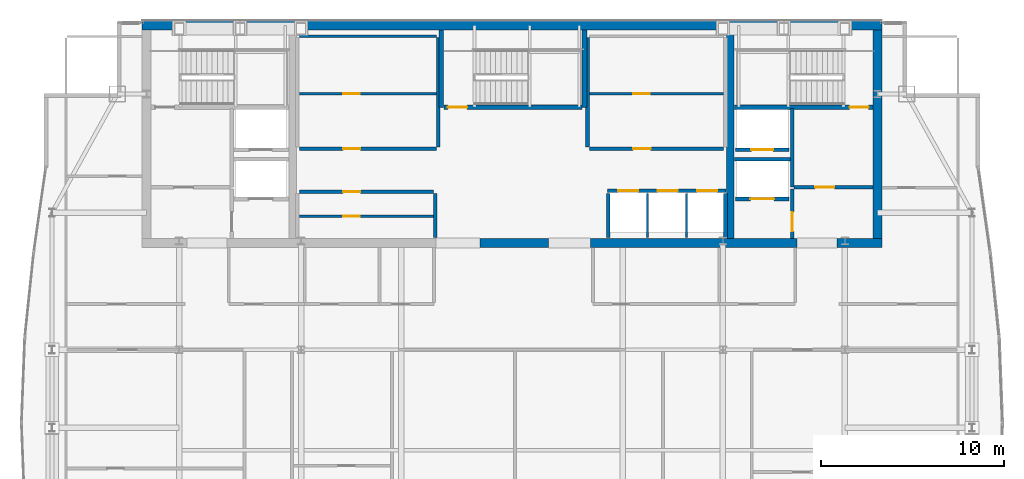
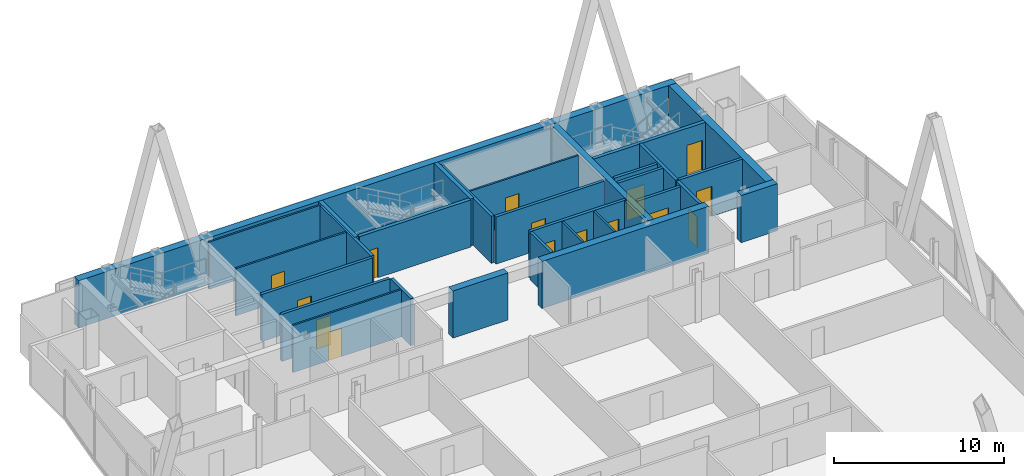
# One storey, part 26 of 29: 31 walls, 15 doors, 15 openings.
"""IFC4 building model written with IfcOpenShell, lengths in metres."""

from ifc_helpers import new_model, si_unit, direction, frame, frame_2d, origin, place, context, subcontext, project, spatial, rectangle, extrude, material, layer, layer_set, type_object, element, fill, save


model = new_model("IFC4")

# Units and contexts
model_context = context("Model", 3, precision=1e-05, world=origin(), true_north=direction((0.0, 1.0)))
body_context = subcontext(model_context, "Body", "Model", "MODEL_VIEW")
ifc_project = project(units=[si_unit("LENGTHUNIT", "METRE"), si_unit("AREAUNIT", "SQUARE_METRE"), si_unit("VOLUMEUNIT", "CUBIC_METRE"), si_unit("PLANEANGLEUNIT", "RADIAN"), si_unit("MASSUNIT", "GRAM", prefix="KILO")], contexts=[model_context])

# Site, building, storey
site_placement = place(None, origin())
site = spatial("IfcSite", under=ifc_project, at=site_placement, CompositionType="ELEMENT")
building_placement = place(site_placement, origin())
building = spatial("IfcBuilding", under=site, at=building_placement, Name="Khoronbel Lancet Exchange", CompositionType="ELEMENT")
storey_placement = place(building_placement, frame((0.0, 0.0, 302.199951171875)))
storey = spatial("IfcBuildingStorey", under=building, at=storey_placement, Name="L78", CompositionType="ELEMENT", Elevation=302.199951171875)

# Walls
ifc_material_1 = material(Name="Concrete C60/75", Category="concrete")
ifc_layer_1 = layer(ifc_material_1, 0.5, Name="Concrete C60/75")
ifc_layer_set_1 = layer_set([ifc_layer_1], Name="Concrete C60/75")
wall_type_1 = type_object("IfcWallType", Name="WL-CW4", PredefinedType="SHEAR", material=ifc_layer_set_1)
wall_1_placement = place(storey_placement, frame((16.199951171875, 53.449951171875, 0.0), z_axis=(0.0, 0.0, 1.0), x_axis=(1.0, 0.0, 0.0)))
element("IfcWall", 1, at=wall_1_placement, inside=storey, type_object=wall_type_1, Name="Level L78 rear core north shear wall", PredefinedType="SHEAR", context=body_context, shape_type="SweptSolid", body=[
    extrude(rectangle(XDim=40.5, YDim=0.5, at=frame_2d((20.25, 0.0))), origin(), (0.0, 0.0, 1.0), 3.380126953125),
])
wall_2_placement = place(storey_placement, frame((56.449951171875, 53.199951171875, 0.0), z_axis=(0.0, 0.0, 1.0), x_axis=(0.0, -1.0, 0.0)))
element("IfcWall", 2, at=wall_2_placement, inside=storey, type_object=wall_type_1, Name="Level L78 rear core east shear wall", PredefinedType="SHEAR", context=body_context, shape_type="SweptSolid", body=[
    extrude(rectangle(XDim=11.39990234375, YDim=0.5, at=frame_2d((5.699951171875, 0.0))), origin(), (0.0, 0.0, 1.0), 3.380126953125),
])
wall_3_placement = place(storey_placement, frame((38.449951171875, 41.550048828125, 0.0), z_axis=(0.0, 0.0, 1.0), x_axis=(-1.0, 0.0, 0.0)))
element("IfcWall", 3, at=wall_3_placement, inside=storey, type_object=wall_type_1, Name="Level L78 rear core south shear wall pier P3", PredefinedType="SHEAR", context=body_context, shape_type="SweptSolid", body=[
    extrude(rectangle(XDim=3.75, YDim=0.5, at=frame_2d((1.875, 0.0))), origin(), (0.0, 0.0, 1.0), 3.380126953125),
])
wall_4_placement = place(storey_placement, frame((52.050048828125, 41.550048828125, 0.0), z_axis=(0.0, 0.0, 1.0), x_axis=(-1.0, 0.0, 0.0)))
element("IfcWall", 4, at=wall_4_placement, inside=storey, type_object=wall_type_1, Name="Level L78 rear core south shear wall pier P4", PredefinedType="SHEAR", context=body_context, shape_type="SweptSolid", body=[
    extrude(rectangle(XDim=11.300048828125, YDim=0.5, at=frame_2d((5.64990234375, 0.0))), origin(), (0.0, 0.0, 1.0), 3.380126953125),
])
wall_5_placement = place(storey_placement, frame((56.699951171875, 41.550048828125, 0.0), z_axis=(0.0, 0.0, 1.0), x_axis=(-1.0, 0.0, 0.0)))
element("IfcWall", 5, at=wall_5_placement, inside=storey, type_object=wall_type_1, Name="Level L78 rear core south shear wall pier P5", PredefinedType="SHEAR", context=body_context, shape_type="SweptSolid", body=[
    extrude(rectangle(XDim=2.449951171875, YDim=0.5, at=frame_2d((1.22509765625, 0.0))), origin(), (0.0, 0.0, 1.0), 3.380126953125),
])
ifc_material_2 = material(Name="Fire-Rated Metal-Stud & Mineral-Wool Gypsum Partition 120 mm", Category="gypsum")
ifc_layer_2 = layer(ifc_material_2, 0.1201171875, Name="Fire-Rated Metal-Stud & Mineral-Wool Gypsum Partition 120 mm")
ifc_layer_set_2 = layer_set([ifc_layer_2], Name="Fire-Rated Metal-Stud & Mineral-Wool Gypsum Partition 120 mm")
wall_type_2 = type_object("IfcWallType", Name="WL-PRT120F", PredefinedType="PARTITIONING", material=ifc_layer_set_2)
wall_6_placement = place(storey_placement, frame((24.804931640625, 52.860107421875, 0.0), z_axis=(0.0, 0.0, 1.0), x_axis=(1.0, 0.0, 0.0)))
element("IfcWall", 6, at=wall_6_placement, inside=storey, type_object=wall_type_2, Name="Level L78 interior partition CW-PL-RN", PredefinedType="PARTITIONING", context=body_context, shape_type="SweptSolid", body=[
    extrude(rectangle(XDim=7.510009765625, YDim=0.1201171875, at=frame_2d((3.7548828125, 0.0))), origin(), (0.0, 0.0, 1.0), 3.380126953125),
])

# Wall, opening, door
wall_7_placement = place(storey_placement, frame((24.804931640625, 49.708740234375, 0.0), z_axis=(0.0, 0.0, 1.0), x_axis=(1.0, 0.0, 0.0)))
wall_7 = element("IfcWall", 7, at=wall_7_placement, inside=storey, type_object=wall_type_2, Name="Level L78 interior partition CW-PL-RH", PredefinedType="PARTITIONING", context=body_context, shape_type="SweptSolid", body=[
    extrude(rectangle(XDim=7.510009765625, YDim=0.1201171875, at=frame_2d((3.7548828125, 0.0))), origin(), (0.0, 0.0, 1.0), 3.380126953125),
])
opening_1_placement = place(wall_7_placement, frame((2.39990234375, 0.0, 0.0)))
opening_1 = element("IfcOpeningElement", 8, at=opening_1_placement, cuts=wall_7, Name="Opening FD4", PredefinedType="OPENING", context=body_context, shape_type="SweptSolid", body=[
    extrude(rectangle(XDim=0.89990234375, YDim=2.050048828125, at=frame_2d((0.449951171875, 1.02490234375))), frame((0.0, 0.070068359375, 0.0), z_axis=(0.0, -1.0, 0.0), x_axis=(1.0, 0.0, 0.0)), (0.0, 0.0, 1.0), 0.14013671875),
])
ifc_material_3 = material(Name="Fire-Rated Steel Core Support Door Assembly", Category="steel")
door_type_1 = type_object("IfcDoorType", Name="DR-FD4", OperationType="NOTDEFINED", PredefinedType="DOOR", material=ifc_material_3)
door_1_placement = place(opening_1_placement, origin())
door_1 = element("IfcDoor", 9, at=door_1_placement, inside=storey, type_object=door_type_1, Name="Core PL inner store door L78-1", OperationType="SINGLE_SWING_RIGHT", OverallHeight=2.050048828125, OverallWidth=0.89990234375, PredefinedType="DOOR", context=body_context, shape_type="SweptSolid", body=[
    extrude(rectangle(XDim=0.89990234375, YDim=2.050048828125, at=frame_2d((0.449951171875, 1.02490234375))), frame((0.0, 0.02490234375, 0.0), z_axis=(0.0, -1.0, 0.0), x_axis=(1.0, 0.0, 0.0)), (0.0, 0.0, 1.0), 0.050048828125),
])
fill(opening_1, door_1)

wall_8_placement = place(storey_placement, frame((24.804931640625, 43.001953125, 0.0), z_axis=(0.0, 0.0, 1.0), x_axis=(1.0, 0.0, 0.0)))
wall_8 = element("IfcWall", 10, at=wall_8_placement, inside=storey, type_object=wall_type_2, Name="Level L78 interior partition CW-PM-RH", PredefinedType="PARTITIONING", context=body_context, shape_type="SweptSolid", body=[
    extrude(rectangle(XDim=7.340087890625, YDim=0.1201171875, at=frame_2d((3.669921875, 0.0))), origin(), (0.0, 0.0, 1.0), 3.380126953125),
])
opening_2_placement = place(wall_8_placement, frame((2.39990234375, 0.0, 0.0)))
opening_2 = element("IfcOpeningElement", 11, at=opening_2_placement, cuts=wall_8, Name="Opening FD4", PredefinedType="OPENING", context=body_context, shape_type="SweptSolid", body=[
    extrude(rectangle(XDim=0.89990234375, YDim=2.050048828125, at=frame_2d((0.449951171875, 1.02490234375))), frame((0.0, 0.070068359375, 0.0), z_axis=(0.0, -1.0, 0.0), x_axis=(1.0, 0.0, 0.0)), (0.0, 0.0, 1.0), 0.14013671875),
])
door_2_placement = place(opening_2_placement, origin())
door_2 = element("IfcDoor", 12, at=door_2_placement, inside=storey, type_object=door_type_1, Name="Core PM inner store door L78-1", OperationType="SINGLE_SWING_RIGHT", OverallHeight=2.050048828125, OverallWidth=0.89990234375, PredefinedType="DOOR", context=body_context, shape_type="SweptSolid", body=[
    extrude(rectangle(XDim=0.89990234375, YDim=2.050048828125, at=frame_2d((0.449951171875, 1.02490234375))), frame((0.0, 0.02490234375, 0.0), z_axis=(0.0, -1.0, 0.0), x_axis=(1.0, 0.0, 0.0)), (0.0, 0.0, 1.0), 0.050048828125),
])
fill(opening_2, door_2)

wall_9_placement = place(storey_placement, frame((40.68505859375, 49.708740234375, 0.0), z_axis=(0.0, 0.0, 1.0), x_axis=(1.0, 0.0, 0.0)))
wall_9 = element("IfcWall", 13, at=wall_9_placement, inside=storey, type_object=wall_type_2, Name="Level L78 interior partition CW-PH-RH", PredefinedType="PARTITIONING", context=body_context, shape_type="SweptSolid", body=[
    extrude(rectangle(XDim=7.349853515625, YDim=0.1201171875, at=frame_2d((3.6748046875, 0.0))), origin(), (0.0, 0.0, 1.0), 3.380126953125),
])
opening_3_placement = place(wall_9_placement, frame((2.39990234375, 0.0, 0.0)))
opening_3 = element("IfcOpeningElement", 14, at=opening_3_placement, cuts=wall_9, Name="Opening FD4", PredefinedType="OPENING", context=body_context, shape_type="SweptSolid", body=[
    extrude(rectangle(XDim=0.89990234375, YDim=2.050048828125, at=frame_2d((0.449951171875, 1.02490234375))), frame((0.0, 0.070068359375, 0.0), z_axis=(0.0, -1.0, 0.0), x_axis=(1.0, 0.0, 0.0)), (0.0, 0.0, 1.0), 0.14013671875),
])
door_3_placement = place(opening_3_placement, origin())
door_3 = element("IfcDoor", 15, at=door_3_placement, inside=storey, type_object=door_type_1, Name="Core PH inner store door L78-1", OperationType="SINGLE_SWING_RIGHT", OverallHeight=2.050048828125, OverallWidth=0.89990234375, PredefinedType="DOOR", context=body_context, shape_type="SweptSolid", body=[
    extrude(rectangle(XDim=0.89990234375, YDim=2.050048828125, at=frame_2d((0.449951171875, 1.02490234375))), frame((0.0, 0.02490234375, 0.0), z_axis=(0.0, -1.0, 0.0), x_axis=(1.0, 0.0, 0.0)), (0.0, 0.0, 1.0), 0.050048828125),
])
fill(opening_3, door_3)

# Walls
for number, where, z_axis, x_axis, name in (
    (16, (43.860107421875, 41.85009765625, 0.0), (0.0, 0.0, 1.0), (0.0, 1.0, 0.0), "Level L78 interior partition CW-PX-D1"),
    (17, (46.0, 41.85009765625, 0.0), (0.0, 0.0, 1.0), (0.0, 1.0, 0.0), "Level L78 interior partition CW-PX-D2"),
):
    element("IfcWall", number, at=place(storey_placement, frame(where, z_axis=z_axis, x_axis=x_axis)), inside=storey, type_object=wall_type_2, Name=name, PredefinedType="PARTITIONING", context=body_context, shape_type="SweptSolid", body=[
        extrude(rectangle(XDim=2.39990234375, YDim=0.1201171875, at=frame_2d((1.199951171875, 0.0))), origin(), (0.0, 0.0, 1.0), 3.380126953125),
    ])

# Wall, openings, doors
ifc_material_4 = material(Name="Autoclaved Aerated Concrete Blockwork 200 mm", Category="masonry")
ifc_layer_3 = layer(ifc_material_4, 0.199951171875, Name="Autoclaved Aerated Concrete Blockwork 200 mm")
ifc_layer_set_3 = layer_set([ifc_layer_3], Name="Autoclaved Aerated Concrete Blockwork 200 mm")
wall_type_3 = type_object("IfcWallType", Name="WL-PRT200", PredefinedType="PARTITIONING", material=ifc_layer_set_3)
wall_10_placement = place(storey_placement, frame((41.679931640625, 44.39990234375, 0.0), z_axis=(0.0, 0.0, 1.0), x_axis=(1.0, 0.0, 0.0)))
wall_10 = element("IfcWall", 18, at=wall_10_placement, inside=storey, type_object=wall_type_3, Name="Level L78 elevator hoistway landing front wall PXE", PredefinedType="PARTITIONING", context=body_context, shape_type="SweptSolid", body=[
    extrude(rectangle(XDim=6.47998046875, YDim=0.199951171875, at=frame_2d((3.239990234375, 0.0))), origin(), (0.0, 0.0, 1.0), 3.380126953125),
])
opening_4_placement = place(wall_10_placement, frame((0.580078125, 0.0, 0.0)))
opening_4 = element("IfcOpeningElement", 19, at=opening_4_placement, cuts=wall_10, Name="Opening LD-PX1", PredefinedType="OPENING", context=body_context, shape_type="SweptSolid", body=[
    extrude(rectangle(XDim=1.10009765625, YDim=2.179931640625, at=frame_2d((0.550048828125, 1.08984375))), frame((0.0, 0.10986328125, 0.0), z_axis=(0.0, -1.0, 0.0), x_axis=(1.0, 0.0, 0.0)), (0.0, 0.0, 1.0), 0.219970703125),
])
opening_5_placement = place(wall_10_placement, frame((2.739990234375, 0.0, 0.0)))
opening_5 = element("IfcOpeningElement", 20, at=opening_5_placement, cuts=wall_10, Name="Opening LD-PX2", PredefinedType="OPENING", context=body_context, shape_type="SweptSolid", body=[
    extrude(rectangle(XDim=1.10009765625, YDim=2.179931640625, at=frame_2d((0.550048828125, 1.08984375))), frame((0.0, 0.10986328125, 0.0), z_axis=(0.0, -1.0, 0.0), x_axis=(1.0, 0.0, 0.0)), (0.0, 0.0, 1.0), 0.219970703125),
])
opening_6_placement = place(wall_10_placement, frame((4.89990234375, 0.0, 0.0)))
opening_6 = element("IfcOpeningElement", 21, at=opening_6_placement, cuts=wall_10, Name="Opening LD-PX3", PredefinedType="OPENING", context=body_context, shape_type="SweptSolid", body=[
    extrude(rectangle(XDim=1.10009765625, YDim=2.179931640625, at=frame_2d((0.550048828125, 1.08984375))), frame((0.0, 0.10986328125, 0.0), z_axis=(0.0, -1.0, 0.0), x_axis=(1.0, 0.0, 0.0)), (0.0, 0.0, 1.0), 0.219970703125),
])
ifc_material_5 = material(Name="Brushed Bronze Bi-Parting Elevator Landing Door", Category="steel")
door_type_2 = type_object("IfcDoorType", Name="DR-LD-PAX", OperationType="NOTDEFINED", PredefinedType="DOOR", material=ifc_material_5)
door_4_placement = place(opening_4_placement, origin())
door_4 = element("IfcDoor", 22, at=door_4_placement, inside=storey, type_object=door_type_2, Name="Elevator landing sliding door LD-PX1 L78", OperationType="SLIDING_TO_LEFT", OverallHeight=2.179931640625, OverallWidth=1.10009765625, PredefinedType="DOOR", context=body_context, shape_type="SweptSolid", body=[
    extrude(rectangle(XDim=1.10009765625, YDim=2.179931640625, at=frame_2d((0.550048828125, 1.08984375))), frame((0.0, 0.02490234375, 0.0), z_axis=(0.0, -1.0, 0.0), x_axis=(1.0, 0.0, 0.0)), (0.0, 0.0, 1.0), 0.050048828125),
])
fill(opening_4, door_4)
door_5_placement = place(opening_5_placement, origin())
door_5 = element("IfcDoor", 23, at=door_5_placement, inside=storey, type_object=door_type_2, Name="Elevator landing sliding door LD-PX2 L78", OperationType="SLIDING_TO_LEFT", OverallHeight=2.179931640625, OverallWidth=1.10009765625, PredefinedType="DOOR", context=body_context, shape_type="SweptSolid", body=[
    extrude(rectangle(XDim=1.10009765625, YDim=2.179931640625, at=frame_2d((0.550048828125, 1.08984375))), frame((0.0, 0.02490234375, 0.0), z_axis=(0.0, -1.0, 0.0), x_axis=(1.0, 0.0, 0.0)), (0.0, 0.0, 1.0), 0.050048828125),
])
fill(opening_5, door_5)
door_6_placement = place(opening_6_placement, origin())
door_6 = element("IfcDoor", 24, at=door_6_placement, inside=storey, type_object=door_type_2, Name="Elevator landing sliding door LD-PX3 L78", OperationType="SLIDING_TO_LEFT", OverallHeight=2.179931640625, OverallWidth=1.10009765625, PredefinedType="DOOR", context=body_context, shape_type="SweptSolid", body=[
    extrude(rectangle(XDim=1.10009765625, YDim=2.179931640625, at=frame_2d((0.550048828125, 1.08984375))), frame((0.0, 0.02490234375, 0.0), z_axis=(0.0, -1.0, 0.0), x_axis=(1.0, 0.0, 0.0)), (0.0, 0.0, 1.0), 0.050048828125),
])
fill(opening_6, door_6)

# Wall, opening, door
wall_11_placement = place(storey_placement, frame((51.610107421875, 43.949951171875, 0.0), z_axis=(0.0, 0.0, 1.0), x_axis=(-1.0, 0.0, 0.0)))
wall_11 = element("IfcWall", 25, at=wall_11_placement, inside=storey, type_object=wall_type_3, Name="Level L78 elevator hoistway landing front wall SVLE", PredefinedType="PARTITIONING", context=body_context, shape_type="SweptSolid", body=[
    extrude(rectangle(XDim=2.920166015625, YDim=0.199951171875, at=frame_2d((1.4599609375, 0.0))), origin(), (0.0, 0.0, 1.0), 3.380126953125),
])
opening_7_placement = place(wall_11_placement, frame((0.81005859375, 0.0, 0.0)))
opening_7 = element("IfcOpeningElement", 26, at=opening_7_placement, cuts=wall_11, Name="Opening LD-SVL2", PredefinedType="OPENING", context=body_context, shape_type="SweptSolid", body=[
    extrude(rectangle(XDim=1.300048828125, YDim=2.179931640625, at=frame_2d((0.64990234375, 1.08984375))), frame((0.0, 0.10986328125, 0.0), z_axis=(0.0, -1.0, 0.0), x_axis=(1.0, 0.0, 0.0)), (0.0, 0.0, 1.0), 0.219970703125),
])
ifc_material_6 = material(Name="Heavy-Duty Bi-Parting Goods Lift Landing Door", Category="steel")
door_type_3 = type_object("IfcDoorType", Name="DR-LD-SVL", OperationType="NOTDEFINED", PredefinedType="DOOR", material=ifc_material_6)
door_7_placement = place(opening_7_placement, origin())
door_7 = element("IfcDoor", 27, at=door_7_placement, inside=storey, type_object=door_type_3, Name="Elevator landing sliding door LD-SVL2 L78", OperationType="SLIDING_TO_LEFT", OverallHeight=2.179931640625, OverallWidth=1.300048828125, PredefinedType="DOOR", context=body_context, shape_type="SweptSolid", body=[
    extrude(rectangle(XDim=1.300048828125, YDim=2.179931640625, at=frame_2d((0.64990234375, 1.08984375))), frame((0.0, 0.02490234375, 0.0), z_axis=(0.0, -1.0, 0.0), x_axis=(1.0, 0.0, 0.0)), (0.0, 0.0, 1.0), 0.050048828125),
])
fill(opening_7, door_7)

wall_12_placement = place(storey_placement, frame((51.610107421875, 46.64990234375, 0.0), z_axis=(0.0, 0.0, 1.0), x_axis=(-1.0, 0.0, 0.0)))
wall_12 = element("IfcWall", 28, at=wall_12_placement, inside=storey, type_object=wall_type_3, Name="Level L78 elevator hoistway landing front wall FFLE", PredefinedType="PARTITIONING", context=body_context, shape_type="SweptSolid", body=[
    extrude(rectangle(XDim=2.920166015625, YDim=0.199951171875, at=frame_2d((1.4599609375, 0.0))), origin(), (0.0, 0.0, 1.0), 3.380126953125),
])
opening_8_placement = place(wall_12_placement, frame((0.860107421875, 0.0, 0.0)))
opening_8 = element("IfcOpeningElement", 29, at=opening_8_placement, cuts=wall_12, Name="Opening LD-FFL2", PredefinedType="OPENING", context=body_context, shape_type="SweptSolid", body=[
    extrude(rectangle(XDim=1.199951171875, YDim=2.179931640625, at=frame_2d((0.60009765625, 1.08984375))), frame((0.0, 0.10986328125, 0.0), z_axis=(0.0, -1.0, 0.0), x_axis=(1.0, 0.0, 0.0)), (0.0, 0.0, 1.0), 0.219970703125),
])
ifc_material_7 = material(Name="Fire-Rated Stainless Bi-Parting Firefighting Lift Door", Category="steel")
door_type_4 = type_object("IfcDoorType", Name="DR-LD-FFL", OperationType="NOTDEFINED", PredefinedType="DOOR", material=ifc_material_7)
door_8_placement = place(opening_8_placement, origin())
door_8 = element("IfcDoor", 30, at=door_8_placement, inside=storey, type_object=door_type_4, Name="Elevator landing sliding door LD-FFL2 L78", OperationType="SLIDING_TO_LEFT", OverallHeight=2.179931640625, OverallWidth=1.199951171875, PredefinedType="DOOR", context=body_context, shape_type="SweptSolid", body=[
    extrude(rectangle(XDim=1.199951171875, YDim=2.179931640625, at=frame_2d((0.60009765625, 1.08984375))), frame((0.0, 0.02490234375, 0.0), z_axis=(0.0, -1.0, 0.0), x_axis=(1.0, 0.0, 0.0)), (0.0, 0.0, 1.0), 0.050048828125),
])
fill(opening_8, door_8)

# Wall
wall_13_placement = place(storey_placement, frame((51.800048828125, 44.60009765625, 0.0), z_axis=(0.0, 0.0, 1.0), x_axis=(0.0, 1.0, 0.0)))
element("IfcWall", 31, at=wall_13_placement, inside=storey, type_object=wall_type_3, Name="Level L78 interior partition CW-FFLE-W", PredefinedType="PARTITIONING", context=body_context, shape_type="SweptSolid", body=[
    extrude(rectangle(XDim=4.2998046875, YDim=0.199951171875, at=frame_2d((2.14990234375, 0.0))), origin(), (0.0, 0.0, 1.0), 3.380126953125),
])

# Wall, opening, door
wall_14_placement = place(storey_placement, frame((51.89990234375, 44.60009765625, 0.0), z_axis=(0.0, 0.0, 1.0), x_axis=(1.0, 0.0, 0.0)))
wall_14 = element("IfcWall", 32, at=wall_14_placement, inside=storey, type_object=wall_type_3, Name="Level L78 interior partition CW-FFLE-S", PredefinedType="PARTITIONING", context=body_context, shape_type="SweptSolid", body=[
    extrude(rectangle(XDim=4.300048828125, YDim=0.199951171875, at=frame_2d((2.14990234375, 0.0))), origin(), (0.0, 0.0, 1.0), 3.380126953125),
])
opening_9_placement = place(wall_14_placement, frame((1.14990234375, 0.0, 0.0)))
opening_9 = element("IfcOpeningElement", 33, at=opening_9_placement, cuts=wall_14, Name="Opening FD1", PredefinedType="OPENING", context=body_context, shape_type="SweptSolid", body=[
    extrude(rectangle(XDim=1.050048828125, YDim=2.14990234375, at=frame_2d((0.52490234375, 1.074951171875))), frame((0.0, 0.10986328125, 0.0), z_axis=(0.0, -1.0, 0.0), x_axis=(1.0, 0.0, 0.0)), (0.0, 0.0, 1.0), 0.219970703125),
])
ifc_material_8 = material(Name="Fire-Rated Painted Steel Door Assembly", Category="steel")
door_type_5 = type_object("IfcDoorType", Name="DR-FD1", OperationType="NOTDEFINED", PredefinedType="DOOR", material=ifc_material_8)
door_9_placement = place(opening_9_placement, origin())
door_9 = element("IfcDoor", 34, at=door_9_placement, inside=storey, type_object=door_type_5, Name="East firefighting lobby FD90S door L78-1", OperationType="SINGLE_SWING_RIGHT", OverallHeight=2.14990234375, OverallWidth=1.050048828125, PredefinedType="DOOR", context=body_context, shape_type="SweptSolid", body=[
    extrude(rectangle(XDim=1.050048828125, YDim=2.14990234375, at=frame_2d((0.52490234375, 1.074951171875))), frame((0.0, 0.02490234375, 0.0), z_axis=(0.0, -1.0, 0.0), x_axis=(1.0, 0.0, 0.0)), (0.0, 0.0, 1.0), 0.050048828125),
])
fill(opening_9, door_9)

# Wall
wall_15_placement = place(storey_placement, frame((48.6298828125, 46.1201171875, 0.0), z_axis=(0.0, 0.0, 1.0), x_axis=(1.0, 0.0, 0.0)))
element("IfcWall", 35, at=wall_15_placement, inside=storey, type_object=wall_type_3, Name="Level L78 interior partition CW-FFL2-S", PredefinedType="PARTITIONING", context=body_context, shape_type="SweptSolid", body=[
    extrude(rectangle(XDim=3.070068359375, YDim=0.199951171875, at=frame_2d((1.53515625, 0.0))), origin(), (0.0, 0.0, 1.0), 3.380126953125),
])

# Wall, opening, door
wall_16_placement = place(storey_placement, frame((51.800048828125, 41.800048828125, 0.0), z_axis=(0.0, 0.0, 1.0), x_axis=(0.0, 1.0, 0.0)))
wall_16 = element("IfcWall", 36, at=wall_16_placement, inside=storey, type_object=wall_type_3, Name="Level L78 interior partition CW-SVLE-E", PredefinedType="PARTITIONING", context=body_context, shape_type="SweptSolid", body=[
    extrude(rectangle(XDim=2.695068359375, YDim=0.199951171875, at=frame_2d((1.34765625, 0.0))), origin(), (0.0, 0.0, 1.0), 3.380126953125),
])
opening_10_placement = place(wall_16_placement, frame((0.3798828125, 0.0, 0.0)))
opening_10 = element("IfcOpeningElement", 37, at=opening_10_placement, cuts=wall_16, Name="Opening FD1", PredefinedType="OPENING", context=body_context, shape_type="SweptSolid", body=[
    extrude(rectangle(XDim=1.050048828125, YDim=2.14990234375, at=frame_2d((0.52490234375, 1.074951171875))), frame((0.0, 0.10986328125, 0.0), z_axis=(0.0, -1.0, 0.0), x_axis=(1.0, 0.0, 0.0)), (0.0, 0.0, 1.0), 0.219970703125),
])
door_10_placement = place(opening_10_placement, origin())
door_10 = element("IfcDoor", 38, at=door_10_placement, inside=storey, type_object=door_type_5, Name="East service lift lobby door L78-1", OperationType="SINGLE_SWING_LEFT", OverallHeight=2.14990234375, OverallWidth=1.050048828125, PredefinedType="DOOR", context=body_context, shape_type="SweptSolid", body=[
    extrude(rectangle(XDim=1.050048828125, YDim=2.14990234375, at=frame_2d((0.52490234375, 1.074951171875))), frame((0.0, 0.02490234375, 0.0), z_axis=(0.0, -1.0, 0.0), x_axis=(1.0, 0.0, 0.0)), (0.0, 0.0, 1.0), 0.050048828125),
])
fill(opening_10, door_10)

# Wall
wall_17_placement = place(storey_placement, frame((32.419921875, 46.804931640625, 0.0), z_axis=(0.0, 0.0, 1.0), x_axis=(0.0, 1.0, 0.0)))
element("IfcWall", 39, at=wall_17_placement, inside=storey, type_object=wall_type_3, Name="Level L78 interior partition CW-PL-RE", PredefinedType="PARTITIONING", context=body_context, shape_type="SweptSolid", body=[
    extrude(rectangle(XDim=5.989990234375, YDim=0.199951171875, at=frame_2d((2.9951171875, 0.0))), origin(), (0.0, 0.0, 1.0), 3.380126953125),
])

# Wall, opening, door
wall_18_placement = place(storey_placement, frame((24.804931640625, 46.699951171875, 0.0), z_axis=(0.0, 0.0, 1.0), x_axis=(1.0, 0.0, 0.0)))
wall_18 = element("IfcWall", 40, at=wall_18_placement, inside=storey, type_object=wall_type_3, Name="Level L78 interior partition CW-PL-RF", PredefinedType="PARTITIONING", context=body_context, shape_type="SweptSolid", body=[
    extrude(rectangle(XDim=7.510009765625, YDim=0.199951171875, at=frame_2d((3.7548828125, 0.0))), origin(), (0.0, 0.0, 1.0), 3.380126953125),
])
opening_11_placement = place(wall_18_placement, frame((2.39990234375, 0.0, 0.0)))
opening_11 = element("IfcOpeningElement", 41, at=opening_11_placement, cuts=wall_18, Name="Opening FD3", PredefinedType="OPENING", context=body_context, shape_type="SweptSolid", body=[
    extrude(rectangle(XDim=0.949951171875, YDim=2.10009765625, at=frame_2d((0.47509765625, 1.050048828125))), frame((0.0, 0.10986328125, 0.0), z_axis=(0.0, -1.0, 0.0), x_axis=(1.0, 0.0, 0.0)), (0.0, 0.0, 1.0), 0.219970703125),
])
ifc_material_9 = material(Name="Fire-Rated Steel Plant & Riser Door Assembly", Category="steel")
door_type_6 = type_object("IfcDoorType", Name="DR-FD3", OperationType="NOTDEFINED", PredefinedType="DOOR", material=ifc_material_9)
door_11_placement = place(opening_11_placement, origin())
door_11 = element("IfcDoor", 42, at=door_11_placement, inside=storey, type_object=door_type_6, Name="Core PL merged gallery room door L78-1", OperationType="SINGLE_SWING_LEFT", OverallHeight=2.10009765625, OverallWidth=0.949951171875, PredefinedType="DOOR", context=body_context, shape_type="SweptSolid", body=[
    extrude(rectangle(XDim=0.949951171875, YDim=2.10009765625, at=frame_2d((0.47509765625, 1.050048828125))), frame((0.0, 0.02490234375, 0.0), z_axis=(0.0, -1.0, 0.0), x_axis=(1.0, 0.0, 0.0)), (0.0, 0.0, 1.0), 0.050048828125),
])
fill(opening_11, door_11)

# Wall
wall_19_placement = place(storey_placement, frame((32.25, 41.85009765625, 0.0), z_axis=(0.0, 0.0, 1.0), x_axis=(0.0, 1.0, 0.0)))
element("IfcWall", 43, at=wall_19_placement, inside=storey, type_object=wall_type_3, Name="Level L78 interior partition CW-PM-RE", PredefinedType="PARTITIONING", context=body_context, shape_type="SweptSolid", body=[
    extrude(rectangle(XDim=2.39501953125, YDim=0.199951171875, at=frame_2d((1.197509765625, 0.0))), origin(), (0.0, 0.0, 1.0), 3.380126953125),
])

# Wall, opening, door
wall_20_placement = place(storey_placement, frame((24.804931640625, 44.35009765625, 0.0), z_axis=(0.0, 0.0, 1.0), x_axis=(1.0, 0.0, 0.0)))
wall_20 = element("IfcWall", 44, at=wall_20_placement, inside=storey, type_object=wall_type_3, Name="Level L78 interior partition CW-PM-RF", PredefinedType="PARTITIONING", context=body_context, shape_type="SweptSolid", body=[
    extrude(rectangle(XDim=7.340087890625, YDim=0.199951171875, at=frame_2d((3.669921875, 0.0))), origin(), (0.0, 0.0, 1.0), 3.380126953125),
])
opening_12_placement = place(wall_20_placement, frame((2.39990234375, 0.0, 0.0)))
opening_12 = element("IfcOpeningElement", 45, at=opening_12_placement, cuts=wall_20, Name="Opening FD3", PredefinedType="OPENING", context=body_context, shape_type="SweptSolid", body=[
    extrude(rectangle(XDim=0.949951171875, YDim=2.10009765625, at=frame_2d((0.47509765625, 1.050048828125))), frame((0.0, 0.10986328125, 0.0), z_axis=(0.0, -1.0, 0.0), x_axis=(1.0, 0.0, 0.0)), (0.0, 0.0, 1.0), 0.219970703125),
])
door_12_placement = place(opening_12_placement, origin())
door_12 = element("IfcDoor", 46, at=door_12_placement, inside=storey, type_object=door_type_6, Name="Core PM merged gallery room door L78-1", OperationType="SINGLE_SWING_LEFT", OverallHeight=2.10009765625, OverallWidth=0.949951171875, PredefinedType="DOOR", context=body_context, shape_type="SweptSolid", body=[
    extrude(rectangle(XDim=0.949951171875, YDim=2.10009765625, at=frame_2d((0.47509765625, 1.050048828125))), frame((0.0, 0.02490234375, 0.0), z_axis=(0.0, -1.0, 0.0), x_axis=(1.0, 0.0, 0.0)), (0.0, 0.0, 1.0), 0.050048828125),
])
fill(opening_12, door_12)

# Wall
wall_21_placement = place(storey_placement, frame((40.580078125, 46.804931640625, 0.0), z_axis=(0.0, 0.0, 1.0), x_axis=(0.0, 1.0, 0.0)))
element("IfcWall", 47, at=wall_21_placement, inside=storey, type_object=wall_type_3, Name="Level L78 interior partition CW-PH-RW", PredefinedType="PARTITIONING", context=body_context, shape_type="SweptSolid", body=[
    extrude(rectangle(XDim=5.989990234375, YDim=0.199951171875, at=frame_2d((2.9951171875, 0.0))), origin(), (0.0, 0.0, 1.0), 3.380126953125),
])

# Wall, opening, door
wall_22_placement = place(storey_placement, frame((40.68505859375, 46.699951171875, 0.0), z_axis=(0.0, 0.0, 1.0), x_axis=(1.0, 0.0, 0.0)))
wall_22 = element("IfcWall", 48, at=wall_22_placement, inside=storey, type_object=wall_type_3, Name="Level L78 interior partition CW-PH-RF", PredefinedType="PARTITIONING", context=body_context, shape_type="SweptSolid", body=[
    extrude(rectangle(XDim=7.349853515625, YDim=0.199951171875, at=frame_2d((3.6748046875, 0.0))), origin(), (0.0, 0.0, 1.0), 3.380126953125),
])
opening_13_placement = place(wall_22_placement, frame((2.39990234375, 0.0, 0.0)))
opening_13 = element("IfcOpeningElement", 49, at=opening_13_placement, cuts=wall_22, Name="Opening FD3", PredefinedType="OPENING", context=body_context, shape_type="SweptSolid", body=[
    extrude(rectangle(XDim=0.949951171875, YDim=2.10009765625, at=frame_2d((0.47509765625, 1.050048828125))), frame((0.0, 0.10986328125, 0.0), z_axis=(0.0, -1.0, 0.0), x_axis=(1.0, 0.0, 0.0)), (0.0, 0.0, 1.0), 0.219970703125),
])
door_13_placement = place(opening_13_placement, origin())
door_13 = element("IfcDoor", 50, at=door_13_placement, inside=storey, type_object=door_type_6, Name="Core PH merged gallery room door L78-1", OperationType="SINGLE_SWING_LEFT", OverallHeight=2.10009765625, OverallWidth=0.949951171875, PredefinedType="DOOR", context=body_context, shape_type="SweptSolid", body=[
    extrude(rectangle(XDim=0.949951171875, YDim=2.10009765625, at=frame_2d((0.47509765625, 1.050048828125))), frame((0.0, 0.02490234375, 0.0), z_axis=(0.0, -1.0, 0.0), x_axis=(1.0, 0.0, 0.0)), (0.0, 0.0, 1.0), 0.050048828125),
])
fill(opening_13, door_13)

# Walls
for number, where, z_axis, x_axis, name in (
    (51, (41.719970703125, 41.85009765625, 0.0), (0.0, 0.0, 1.0), (0.0, 1.0, 0.0), "Level L78 interior partition CW-PX-W"),
    (52, (48.139892578125, 41.85009765625, 0.0), (0.0, 0.0, 1.0), (0.0, 1.0, 0.0), "Level L78 interior partition CW-PX-E"),
):
    element("IfcWall", number, at=place(storey_placement, frame(where, z_axis=z_axis, x_axis=x_axis)), inside=storey, type_object=wall_type_3, Name=name, PredefinedType="PARTITIONING", context=body_context, shape_type="SweptSolid", body=[
        extrude(rectangle(XDim=2.39990234375, YDim=0.199951171875, at=frame_2d((1.199951171875, 0.0))), origin(), (0.0, 0.0, 1.0), 3.380126953125),
    ])
ifc_layer_4 = layer(ifc_material_1, 0.39990234375, Name="Concrete C60/75")
ifc_layer_set_4 = layer_set([ifc_layer_4], Name="Concrete C60/75")
wall_type_4 = type_object("IfcWallType", Name="WL-SW2", PredefinedType="SHEAR", material=ifc_layer_set_4)
wall_23_placement = place(storey_placement, frame((48.39990234375, 41.800048828125, 0.0), z_axis=(0.0, 0.0, 1.0), x_axis=(0.0, 1.0, 0.0)))
element("IfcWall", 53, at=wall_23_placement, inside=storey, type_object=wall_type_4, Name="Level L78 rear core internal spine shear wall IE", PredefinedType="SHEAR", context=body_context, shape_type="SweptSolid", body=[
    extrude(rectangle(XDim=11.39990234375, YDim=0.39990234375, at=frame_2d((5.699951171875, 0.0))), origin(), (0.0, 0.0, 1.0), 3.380126953125),
])
ifc_layer_5 = layer(ifc_material_1, 0.260009765625, Name="Concrete C60/75")
ifc_layer_set_5 = layer_set([ifc_layer_5], Name="Concrete C60/75")
wall_type_5 = type_object("IfcWallType", Name="WL-SW3", PredefinedType="SHEAR", material=ifc_layer_set_5)
for number, where, z_axis, x_axis, name in (
    (54, (32.580078125, 48.949951171875, 0.0), (0.0, 0.0, 1.0), (0.0, 1.0, 0.0), "Level L78 central stairwell structural shear wall ST3W"),
    (55, (40.419921875, 48.949951171875, 0.0), (0.0, 0.0, 1.0), (0.0, 1.0, 0.0), "Level L78 central stairwell structural shear wall ST3E"),
):
    element("IfcWall", number, at=place(storey_placement, frame(where, z_axis=z_axis, x_axis=x_axis)), inside=storey, type_object=wall_type_5, Name=name, PredefinedType="SHEAR", context=body_context, shape_type="SweptSolid", body=[
        extrude(rectangle(XDim=4.25, YDim=0.260009765625, at=frame_2d((2.125, 0.0))), origin(), (0.0, 0.0, 1.0), 3.380126953125),
    ])

# Wall, opening, door
wall_24_placement = place(storey_placement, frame((48.6298828125, 48.97998046875, 0.0), z_axis=(0.0, 0.0, 1.0), x_axis=(1.0, 0.0, 0.0)))
wall_24 = element("IfcWall", 56, at=wall_24_placement, inside=storey, type_object=wall_type_5, Name="Level L78 east stairwell structural south wall", PredefinedType="SHEAR", context=body_context, shape_type="SweptSolid", body=[
    extrude(rectangle(XDim=7.570068359375, YDim=0.239990234375, at=frame_2d((3.78515625, 0.0))), origin(), (0.0, 0.0, 1.0), 3.380126953125),
])
opening_14_placement = place(wall_24_placement, frame((6.300048828125, 0.0, 0.0)))
opening_14 = element("IfcOpeningElement", 57, at=opening_14_placement, cuts=wall_24, Name="Opening SD1", PredefinedType="OPENING", context=body_context, shape_type="SweptSolid", body=[
    extrude(rectangle(XDim=1.050048828125, YDim=2.14990234375, at=frame_2d((0.52490234375, 1.074951171875))), frame((0.0, 0.1298828125, 0.0), z_axis=(0.0, -1.0, 0.0), x_axis=(1.0, 0.0, 0.0)), (0.0, 0.0, 1.0), 0.260009765625),
])
ifc_material_10 = material(Name="Fire-Rated Steel Stairwell Door Assembly", Category="steel")
door_type_7 = type_object("IfcDoorType", Name="DR-SD1", OperationType="NOTDEFINED", PredefinedType="DOOR", material=ifc_material_10)
door_14_placement = place(opening_14_placement, origin())
door_14 = element("IfcDoor", 58, at=door_14_placement, inside=storey, type_object=door_type_7, Name="Protected exit stair ST2 door L78", OperationType="SINGLE_SWING_RIGHT", OverallHeight=2.14990234375, OverallWidth=1.050048828125, PredefinedType="DOOR", context=body_context, shape_type="SweptSolid", body=[
    extrude(rectangle(XDim=1.050048828125, YDim=2.14990234375, at=frame_2d((0.52490234375, 1.074951171875))), frame((0.0, 0.02490234375, 0.0), z_axis=(0.0, -1.0, 0.0), x_axis=(1.0, 0.0, 0.0)), (0.0, 0.0, 1.0), 0.050048828125),
])
fill(opening_14, door_14)

wall_25_placement = place(storey_placement, frame((32.719970703125, 48.97998046875, 0.0), z_axis=(0.0, 0.0, 1.0), x_axis=(1.0, 0.0, 0.0)))
wall_25 = element("IfcWall", 59, at=wall_25_placement, inside=storey, type_object=wall_type_5, Name="Level L78 central stairwell structural south wall", PredefinedType="SHEAR", context=body_context, shape_type="SweptSolid", body=[
    extrude(rectangle(XDim=7.56005859375, YDim=0.239990234375, at=frame_2d((3.780029296875, 0.0))), origin(), (0.0, 0.0, 1.0), 3.380126953125),
])
opening_15_placement = place(wall_25_placement, frame((0.219970703125, 0.0, 0.0)))
opening_15 = element("IfcOpeningElement", 60, at=opening_15_placement, cuts=wall_25, Name="Opening SD1", PredefinedType="OPENING", context=body_context, shape_type="SweptSolid", body=[
    extrude(rectangle(XDim=1.050048828125, YDim=2.14990234375, at=frame_2d((0.52490234375, 1.074951171875))), frame((0.0, 0.1298828125, 0.0), z_axis=(0.0, -1.0, 0.0), x_axis=(1.0, 0.0, 0.0)), (0.0, 0.0, 1.0), 0.260009765625),
])
door_15_placement = place(opening_15_placement, origin())
door_15 = element("IfcDoor", 61, at=door_15_placement, inside=storey, type_object=door_type_7, Name="Protected exit stair ST3 door L78", OperationType="SINGLE_SWING_LEFT", OverallHeight=2.14990234375, OverallWidth=1.050048828125, PredefinedType="DOOR", context=body_context, shape_type="SweptSolid", body=[
    extrude(rectangle(XDim=1.050048828125, YDim=2.14990234375, at=frame_2d((0.52490234375, 1.074951171875))), frame((0.0, 0.02490234375, 0.0), z_axis=(0.0, -1.0, 0.0), x_axis=(1.0, 0.0, 0.0)), (0.0, 0.0, 1.0), 0.050048828125),
])
fill(opening_15, door_15)

save(model, "model.ifc")
